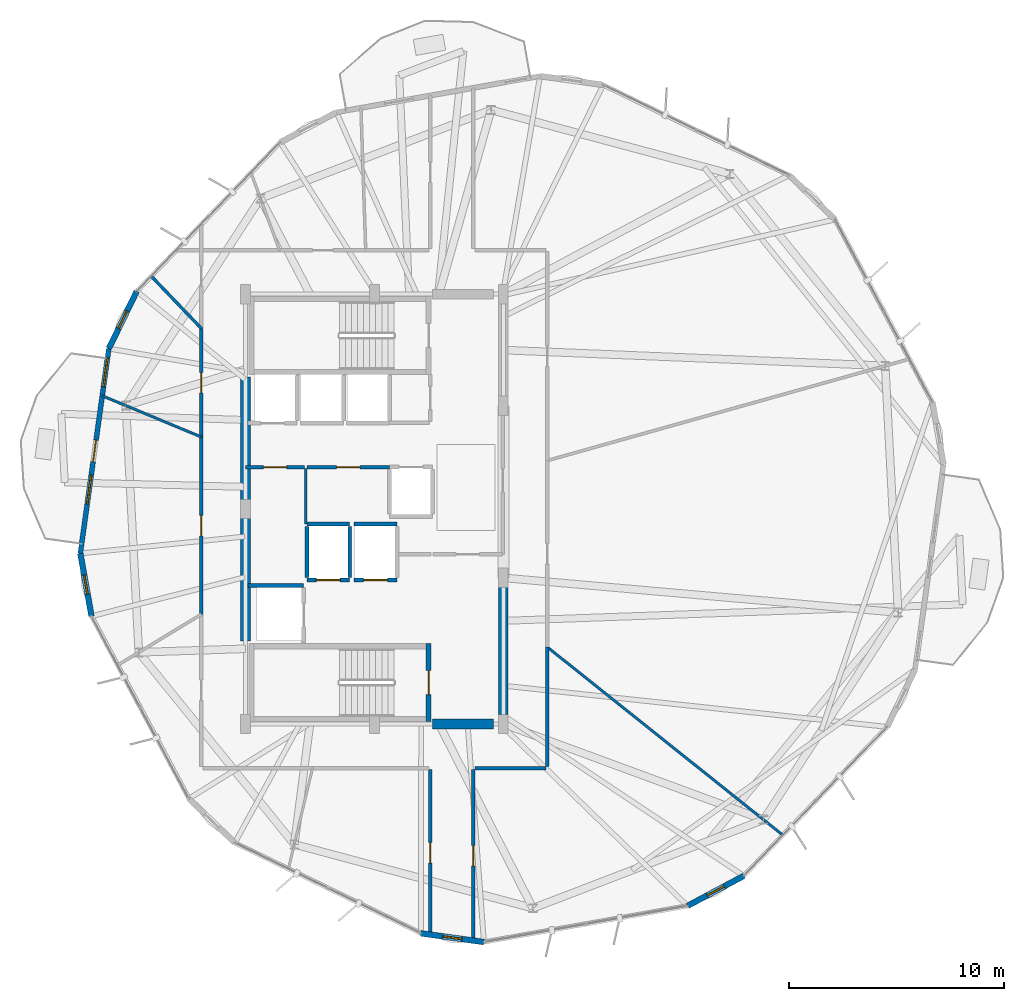
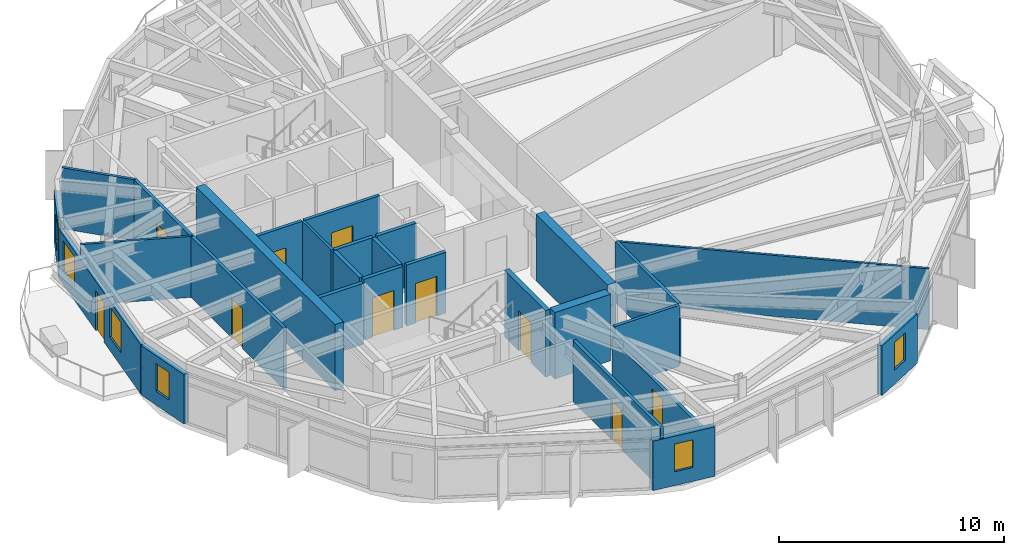
# One storey, part 23 of 28: 28 walls, 10 doors, 6 windows, 16 openings.
"""IFC4 building model written with IfcOpenShell, lengths in metres."""

from ifc_helpers import new_model, si_unit, direction, frame, frame_2d, origin, place, context, subcontext, project, spatial, rectangle, extrude, material, layer, layer_set, type_object, element, fill, save


model = new_model("IFC4")

# Units and contexts
model_context = context("Model", 3, precision=1e-05, world=origin(), true_north=direction((0.0, 1.0)))
body_context = subcontext(model_context, "Body", "Model", "MODEL_VIEW")
ifc_project = project(units=[si_unit("LENGTHUNIT", "METRE"), si_unit("AREAUNIT", "SQUARE_METRE"), si_unit("VOLUMEUNIT", "CUBIC_METRE"), si_unit("PLANEANGLEUNIT", "RADIAN"), si_unit("MASSUNIT", "GRAM", prefix="KILO")], contexts=[model_context])

# Site, building, storey
site_placement = place(None, origin())
site = spatial("IfcSite", under=ifc_project, at=site_placement, CompositionType="ELEMENT")
building_placement = place(site_placement, origin())
building = spatial("IfcBuilding", under=site, at=building_placement, Name="Soratama Intermodal Tower", CompositionType="ELEMENT")
storey_placement = place(building_placement, frame((0.0, 0.0, 205.0)))
storey = spatial("IfcBuildingStorey", under=building, at=storey_placement, Name="L51", CompositionType="ELEMENT", Elevation=205.0)

# Wall, openings, door, windows
ifc_material_1 = material(Name="Concrete f'c 42 MPa", Category="concrete")
ifc_layer_1 = layer(ifc_material_1, 0.22998046875)
ifc_layer_set_1 = layer_set([ifc_layer_1], Name="Concrete f'c 42 MPa")
wall_type_1 = type_object("IfcWallType", Name="EW-BAL-230", PredefinedType="SOLIDWALL", material=ifc_layer_set_1)
wall_1_placement = place(storey_placement, frame((26.240234375, 32.46826171875, 0.0), z_axis=(0.0, 0.0, 1.0), x_axis=(-0.137794425401, -0.990460850477, 0.0)))
wall_1 = element("IfcWall", 1, at=wall_1_placement, inside=storey, type_object=wall_type_1, Name="L51 Terrace Wall F04", PredefinedType="SOLIDWALL", context=body_context, shape_type="SweptSolid", body=[
    extrude(rectangle(XDim=9.624267578125, YDim=0.22998046875, at=frame_2d((4.81201171875, 0.0))), origin(), (0.0, 0.0, 1.0), 2.678955078125),
])
opening_1_placement = place(wall_1_placement, frame((4.31201171875, 0.0, 0.0)))
opening_1 = element("IfcOpeningElement", 2, at=opening_1_placement, cuts=wall_1, Name="Opening ED-2", PredefinedType="OPENING", context=body_context, shape_type="SweptSolid", body=[
    extrude(rectangle(XDim=1.0, YDim=2.14990234375, at=frame_2d((0.5, 1.074951171875))), frame((0.0, 0.125, 0.0), z_axis=(0.0, -1.0, 0.0), x_axis=(1.0, 0.0, 0.0)), (0.0, 0.0, 1.0), 0.25),
])
opening_2_placement = place(wall_1_placement, frame((0.43994140625, 0.0, 0.719970703125)))
opening_2 = element("IfcOpeningElement", 3, at=opening_2_placement, cuts=wall_1, Name="Opening WN-4", PredefinedType="OPENING", context=body_context, shape_type="SweptSolid", body=[
    extrude(rectangle(XDim=1.35009765625, YDim=1.64990234375, at=frame_2d((0.675048828125, 0.824951171875))), frame((0.0, 0.125, 0.0), z_axis=(0.0, -1.0, 0.0), x_axis=(1.0, 0.0, 0.0)), (0.0, 0.0, 1.0), 0.25),
])
opening_3_placement = place(wall_1_placement, frame((5.951904296875, 0.0, 0.719970703125)))
opening_3 = element("IfcOpeningElement", 4, at=opening_3_placement, cuts=wall_1, Name="Opening WN-4", PredefinedType="OPENING", context=body_context, shape_type="SweptSolid", body=[
    extrude(rectangle(XDim=1.35009765625, YDim=1.64990234375, at=frame_2d((0.675048828125, 0.824951171875))), frame((0.0, 0.125, 0.0), z_axis=(0.0, -1.0, 0.0), x_axis=(1.0, 0.0, 0.0)), (0.0, 0.0, 1.0), 0.25),
])
ifc_material_2 = material(Name="Double-glazed aluminium door", Category="aluminium")
door_type_1 = type_object("IfcDoorType", Name="DR-BAL-1000", OperationType="NOTDEFINED", PredefinedType="DOOR", material=ifc_material_2)
door_1_placement = place(opening_1_placement, origin())
door_1 = element("IfcDoor", 5, at=door_1_placement, inside=storey, type_object=door_type_1, Name="L51 Balcony Door F04", OperationType="SINGLE_SWING_RIGHT", OverallHeight=2.14990234375, OverallWidth=1.0, PredefinedType="DOOR", context=body_context, shape_type="SweptSolid", body=[
    extrude(rectangle(XDim=1.0, YDim=2.14990234375, at=frame_2d((0.5, 1.074951171875))), frame((0.0, 0.02490234375, 0.0), z_axis=(0.0, -1.0, 0.0), x_axis=(1.0, 0.0, 0.0)), (0.0, 0.0, 1.0), 0.050048828125),
])
fill(opening_1, door_1)
ifc_material_3 = material(Name="Double-glazed aluminium window", Category="aluminium")
window_type_1 = type_object("IfcWindowType", Name="WN-FAC-1350", PartitioningType="SINGLE_PANEL", PredefinedType="WINDOW", material=ifc_material_3)
window_1_placement = place(opening_2_placement, origin())
window_1 = element("IfcWindow", 6, at=window_1_placement, inside=storey, type_object=window_type_1, Name="L51 Window A F04", OverallHeight=1.64990234375, OverallWidth=1.35009765625, PartitioningType="SINGLE_PANEL", PredefinedType="WINDOW", context=body_context, shape_type="SweptSolid", body=[
    extrude(rectangle(XDim=1.35009765625, YDim=1.64990234375, at=frame_2d((0.675048828125, 0.824951171875))), frame((0.0, 0.030029296875, 0.0), z_axis=(0.0, -1.0, 0.0), x_axis=(1.0, 0.0, 0.0)), (0.0, 0.0, 1.0), 0.06005859375),
])
fill(opening_2, window_1)
window_2_placement = place(opening_3_placement, origin())
window_2 = element("IfcWindow", 7, at=window_2_placement, inside=storey, type_object=window_type_1, Name="L51 Window B F04", OverallHeight=1.64990234375, OverallWidth=1.35009765625, PartitioningType="SINGLE_PANEL", PredefinedType="WINDOW", context=body_context, shape_type="SweptSolid", body=[
    extrude(rectangle(XDim=1.35009765625, YDim=1.64990234375, at=frame_2d((0.675048828125, 0.824951171875))), frame((0.0, 0.030029296875, 0.0), z_axis=(0.0, -1.0, 0.0), x_axis=(1.0, 0.0, 0.0)), (0.0, 0.0, 1.0), 0.06005859375),
])
fill(opening_3, window_2)

# Wall, opening, window
ifc_material_4 = material(Name="Concrete f'c 42 MPa", Category="concrete")
ifc_layer_2 = layer(ifc_material_4, 0.27001953125)
ifc_layer_set_2 = layer_set([ifc_layer_2], Name="Concrete f'c 42 MPa")
wall_type_2 = type_object("IfcWallType", Name="EW-CRN-270", PredefinedType="SOLIDWALL", material=ifc_layer_set_2)
wall_2_placement = place(storey_placement, frame((27.536865234375, 35.13623046875, 0.0), z_axis=(0.0, 0.0, 1.0), x_axis=(-0.437111339514, -0.899407403165, 0.0)))
wall_2 = element("IfcWall", 8, at=wall_2_placement, inside=storey, type_object=wall_type_2, Name="L51 Corner Closure Wall 03", PredefinedType="SOLIDWALL", context=body_context, shape_type="SweptSolid", body=[
    extrude(rectangle(XDim=2.96630859375, YDim=0.27001953125, at=frame_2d((1.483154296875, 0.0))), origin(), (0.0, 0.0, 1.0), 2.678955078125),
])
opening_4_placement = place(wall_2_placement, frame((1.033203125, 0.0, 0.75)))
opening_4 = element("IfcOpeningElement", 9, at=opening_4_placement, cuts=wall_2, Name="Opening WN-6", PredefinedType="OPENING", context=body_context, shape_type="SweptSolid", body=[
    extrude(rectangle(XDim=0.89990234375, YDim=1.5, at=frame_2d((0.449951171875, 0.75))), frame((0.0, 0.14501953125, 0.0), z_axis=(0.0, -1.0, 0.0), x_axis=(1.0, 0.0, 0.0)), (0.0, 0.0, 1.0), 0.2900390625),
])
ifc_material_5 = material(Name="Double-glazed aluminium window", Category="aluminium")
window_type_2 = type_object("IfcWindowType", Name="WN-FAC-900", PartitioningType="SINGLE_PANEL", PredefinedType="WINDOW", material=ifc_material_5)
window_3_placement = place(opening_4_placement, origin())
window_3 = element("IfcWindow", 10, at=window_3_placement, inside=storey, type_object=window_type_2, Name="L51 Corner Window 03", OverallHeight=1.5, OverallWidth=0.89990234375, PartitioningType="SINGLE_PANEL", PredefinedType="WINDOW", context=body_context, shape_type="SweptSolid", body=[
    extrude(rectangle(XDim=0.89990234375, YDim=1.5, at=frame_2d((0.449951171875, 0.75))), frame((0.0, 0.030029296875, 0.0), z_axis=(0.0, -1.0, 0.0), x_axis=(1.0, 0.0, 0.0)), (0.0, 0.0, 1.0), 0.06005859375),
])
fill(opening_4, window_3)

wall_3_placement = place(storey_placement, frame((24.9140625, 22.935791015625, 0.0), z_axis=(0.0, 0.0, 1.0), x_axis=(0.175052836201, -0.984559040656, 0.0)))
wall_3 = element("IfcWall", 11, at=wall_3_placement, inside=storey, type_object=wall_type_2, Name="L51 Corner Closure Wall 04", PredefinedType="SOLIDWALL", context=body_context, shape_type="SweptSolid", body=[
    extrude(rectangle(XDim=2.966552734375, YDim=0.27001953125, at=frame_2d((1.4833984375, 0.0))), origin(), (0.0, 0.0, 1.0), 2.678955078125),
])
opening_5_placement = place(wall_3_placement, frame((1.033203125, 0.0, 0.75)))
opening_5 = element("IfcOpeningElement", 12, at=opening_5_placement, cuts=wall_3, Name="Opening WN-6", PredefinedType="OPENING", context=body_context, shape_type="SweptSolid", body=[
    extrude(rectangle(XDim=0.89990234375, YDim=1.5, at=frame_2d((0.449951171875, 0.75))), frame((0.0, 0.14501953125, 0.0), z_axis=(0.0, -1.0, 0.0), x_axis=(1.0, 0.0, 0.0)), (0.0, 0.0, 1.0), 0.2900390625),
])
window_4_placement = place(opening_5_placement, origin())
window_4 = element("IfcWindow", 13, at=window_4_placement, inside=storey, type_object=window_type_2, Name="L51 Corner Window 04", OverallHeight=1.5, OverallWidth=0.89990234375, PartitioningType="SINGLE_PANEL", PredefinedType="WINDOW", context=body_context, shape_type="SweptSolid", body=[
    extrude(rectangle(XDim=0.89990234375, YDim=1.5, at=frame_2d((0.449951171875, 0.75))), frame((0.0, 0.030029296875, 0.0), z_axis=(0.0, -1.0, 0.0), x_axis=(1.0, 0.0, 0.0)), (0.0, 0.0, 1.0), 0.06005859375),
])
fill(opening_5, window_4)

wall_4_placement = place(storey_placement, frame((40.756103515625, 5.25927734375, 0.0), z_axis=(0.0, 0.0, 1.0), x_axis=(0.990464529439, -0.137767978586, 0.0)))
wall_4 = element("IfcWall", 14, at=wall_4_placement, inside=storey, type_object=wall_type_2, Name="L51 Corner Closure Wall 06", PredefinedType="SOLIDWALL", context=body_context, shape_type="SweptSolid", body=[
    extrude(rectangle(XDim=2.966552734375, YDim=0.27001953125, at=frame_2d((1.4833984375, 0.0))), origin(), (0.0, 0.0, 1.0), 2.678955078125),
])
opening_6_placement = place(wall_4_placement, frame((1.033203125, 0.0, 0.75)))
opening_6 = element("IfcOpeningElement", 15, at=opening_6_placement, cuts=wall_4, Name="Opening WN-6", PredefinedType="OPENING", context=body_context, shape_type="SweptSolid", body=[
    extrude(rectangle(XDim=0.89990234375, YDim=1.5, at=frame_2d((0.449951171875, 0.75))), frame((0.0, 0.14501953125, 0.0), z_axis=(0.0, -1.0, 0.0), x_axis=(1.0, 0.0, 0.0)), (0.0, 0.0, 1.0), 0.2900390625),
])
window_5_placement = place(opening_6_placement, origin())
window_5 = element("IfcWindow", 16, at=window_5_placement, inside=storey, type_object=window_type_2, Name="L51 Corner Window 06", OverallHeight=1.5, OverallWidth=0.89990234375, PartitioningType="SINGLE_PANEL", PredefinedType="WINDOW", context=body_context, shape_type="SweptSolid", body=[
    extrude(rectangle(XDim=0.89990234375, YDim=1.5, at=frame_2d((0.449951171875, 0.75))), frame((0.0, 0.030029296875, 0.0), z_axis=(0.0, -1.0, 0.0), x_axis=(1.0, 0.0, 0.0)), (0.0, 0.0, 1.0), 0.06005859375),
])
fill(opening_6, window_5)

wall_5_placement = place(storey_placement, frame((53.169921875, 6.534912109375, 0.0), z_axis=(0.0, 0.0, 1.0), x_axis=(0.882280032982, 0.470724912663, 0.0)))
wall_5 = element("IfcWall", 17, at=wall_5_placement, inside=storey, type_object=wall_type_2, Name="L51 Corner Closure Wall 07", PredefinedType="SOLIDWALL", context=body_context, shape_type="SweptSolid", body=[
    extrude(rectangle(XDim=2.966552734375, YDim=0.27001953125, at=frame_2d((1.4833984375, 0.0))), origin(), (0.0, 0.0, 1.0), 2.678955078125),
])
opening_7_placement = place(wall_5_placement, frame((1.033203125, 0.0, 0.75)))
opening_7 = element("IfcOpeningElement", 18, at=opening_7_placement, cuts=wall_5, Name="Opening WN-6", PredefinedType="OPENING", context=body_context, shape_type="SweptSolid", body=[
    extrude(rectangle(XDim=0.89990234375, YDim=1.5, at=frame_2d((0.449951171875, 0.75))), frame((0.0, 0.14501953125, 0.0), z_axis=(0.0, -1.0, 0.0), x_axis=(1.0, 0.0, 0.0)), (0.0, 0.0, 1.0), 0.2900390625),
])
window_6_placement = place(opening_7_placement, origin())
window_6 = element("IfcWindow", 19, at=window_6_placement, inside=storey, type_object=window_type_2, Name="L51 Corner Window 07", OverallHeight=1.5, OverallWidth=0.89990234375, PartitioningType="SINGLE_PANEL", PredefinedType="WINDOW", context=body_context, shape_type="SweptSolid", body=[
    extrude(rectangle(XDim=0.89990234375, YDim=1.5, at=frame_2d((0.449951171875, 0.75))), frame((0.0, 0.030029296875, 0.0), z_axis=(0.0, -1.0, 0.0), x_axis=(1.0, 0.0, 0.0)), (0.0, 0.0, 1.0), 0.06005859375),
])
fill(opening_7, window_6)

# Wall, opening, door
ifc_material_6 = material(Name="Fire-rated gypsum stud partition", Category="concrete")
ifc_layer_3 = layer(ifc_material_6, 0.159912109375)
ifc_layer_set_3 = layer_set([ifc_layer_3], Name="Fire-rated gypsum stud partition")
wall_type_3 = type_object("IfcWallType", Name="IW-PART-R160", PredefinedType="PARTITIONING", material=ifc_layer_set_3)
wall_6_placement = place(storey_placement, frame((30.550048828125, 20.10595703125, 0.0), z_axis=(0.0, 0.0, 1.0), x_axis=(0.0, 1.0, 0.0)))
wall_6 = element("IfcWall", 20, at=wall_6_placement, inside=storey, type_object=wall_type_3, Name="L51 Partition W-L51-TP005", PredefinedType="PARTITIONING", context=body_context, shape_type="SweptSolid", body=[
    extrude(rectangle(XDim=8.2451171875, YDim=0.159912109375, at=frame_2d((4.12255859375, 0.0))), origin(), (0.0, 0.0, 1.0), 3.300048828125),
])
opening_8_placement = place(wall_6_placement, frame((3.64697265625, 0.0, 0.0)))
opening_8 = element("IfcOpeningElement", 21, at=opening_8_placement, cuts=wall_6, Name="Opening ID-3", PredefinedType="OPENING", context=body_context, shape_type="SweptSolid", body=[
    extrude(rectangle(XDim=0.949951171875, YDim=2.14990234375, at=frame_2d((0.47509765625, 1.074951171875))), frame((0.0, 0.08984375, 0.0), z_axis=(0.0, -1.0, 0.0), x_axis=(1.0, 0.0, 0.0)), (0.0, 0.0, 1.0), 0.179931640625),
])
ifc_material_7 = material(Name="Solid hardwood acoustic door", Category="wood")
door_type_2 = type_object("IfcDoorType", Name="DR-ROOM-950", OperationType="NOTDEFINED", PredefinedType="DOOR", material=ifc_material_7)
door_2_placement = place(opening_8_placement, origin())
door_2 = element("IfcDoor", 22, at=door_2_placement, inside=storey, type_object=door_type_2, Name="L51 Door D-L51-TP003", OperationType="SINGLE_SWING_RIGHT", OverallHeight=2.14990234375, OverallWidth=0.949951171875, PredefinedType="DOOR", context=body_context, shape_type="SweptSolid", body=[
    extrude(rectangle(XDim=0.949951171875, YDim=2.14990234375, at=frame_2d((0.47509765625, 1.074951171875))), frame((0.0, 0.02490234375, 0.0), z_axis=(0.0, -1.0, 0.0), x_axis=(1.0, 0.0, 0.0)), (0.0, 0.0, 1.0), 0.050048828125),
])
fill(opening_8, door_2)

wall_7_placement = place(storey_placement, frame((43.199951171875, 12.8798828125, 0.0), z_axis=(0.0, 0.0, 1.0), x_axis=(0.0, -1.0, 0.0)))
wall_7 = element("IfcWall", 23, at=wall_7_placement, inside=storey, type_object=wall_type_3, Name="L51 Partition W-L51-TP006", PredefinedType="PARTITIONING", context=body_context, shape_type="SweptSolid", body=[
    extrude(rectangle(XDim=8.038818359375, YDim=0.159912109375, at=frame_2d((4.01953125, 0.0))), origin(), (0.0, 0.0, 1.0), 2.677978515625),
])
opening_9_placement = place(wall_7_placement, frame((3.544921875, 0.0, 0.0)))
opening_9 = element("IfcOpeningElement", 24, at=opening_9_placement, cuts=wall_7, Name="Opening ID-3", PredefinedType="OPENING", context=body_context, shape_type="SweptSolid", body=[
    extrude(rectangle(XDim=0.949951171875, YDim=2.14990234375, at=frame_2d((0.47509765625, 1.074951171875))), frame((0.0, 0.08984375, 0.0), z_axis=(0.0, -1.0, 0.0), x_axis=(1.0, 0.0, 0.0)), (0.0, 0.0, 1.0), 0.179931640625),
])
door_3_placement = place(opening_9_placement, origin())
door_3 = element("IfcDoor", 25, at=door_3_placement, inside=storey, type_object=door_type_2, Name="L51 Door D-L51-TP004", OperationType="SINGLE_SWING_LEFT", OverallHeight=2.14990234375, OverallWidth=0.949951171875, PredefinedType="DOOR", context=body_context, shape_type="SweptSolid", body=[
    extrude(rectangle(XDim=0.949951171875, YDim=2.14990234375, at=frame_2d((0.47509765625, 1.074951171875))), frame((0.0, 0.02490234375, 0.0), z_axis=(0.0, -1.0, 0.0), x_axis=(1.0, 0.0, 0.0)), (0.0, 0.0, 1.0), 0.050048828125),
])
fill(opening_9, door_3)

wall_8_placement = place(storey_placement, frame((41.199951171875, 5.1240234375, 0.0), z_axis=(0.0, 0.0, 1.0), x_axis=(0.0, 1.0, 0.0)))
wall_8 = element("IfcWall", 26, at=wall_8_placement, inside=storey, type_object=wall_type_3, Name="L51 Partition W-L51-TP007", PredefinedType="PARTITIONING", context=body_context, shape_type="SweptSolid", body=[
    extrude(rectangle(XDim=7.755859375, YDim=0.159912109375, at=frame_2d((3.8779296875, 0.0))), origin(), (0.0, 0.0, 1.0), 3.300048828125),
])
opening_10_placement = place(wall_8_placement, frame((3.403076171875, 0.0, 0.0)))
opening_10 = element("IfcOpeningElement", 27, at=opening_10_placement, cuts=wall_8, Name="Opening ID-3", PredefinedType="OPENING", context=body_context, shape_type="SweptSolid", body=[
    extrude(rectangle(XDim=0.949951171875, YDim=2.14990234375, at=frame_2d((0.47509765625, 1.074951171875))), frame((0.0, 0.08984375, 0.0), z_axis=(0.0, -1.0, 0.0), x_axis=(1.0, 0.0, 0.0)), (0.0, 0.0, 1.0), 0.179931640625),
])
door_4_placement = place(opening_10_placement, origin())
door_4 = element("IfcDoor", 28, at=door_4_placement, inside=storey, type_object=door_type_2, Name="L51 Door D-L51-TP005", OperationType="SINGLE_SWING_RIGHT", OverallHeight=2.14990234375, OverallWidth=0.949951171875, PredefinedType="DOOR", context=body_context, shape_type="SweptSolid", body=[
    extrude(rectangle(XDim=0.949951171875, YDim=2.14990234375, at=frame_2d((0.47509765625, 1.074951171875))), frame((0.0, 0.02490234375, 0.0), z_axis=(0.0, -1.0, 0.0), x_axis=(1.0, 0.0, 0.0)), (0.0, 0.0, 1.0), 0.050048828125),
])
fill(opening_10, door_4)

# Wall
wall_9_placement = place(storey_placement, frame((46.64990234375, 18.572998046875, 0.0), z_axis=(0.0, 0.0, 1.0), x_axis=(0.0, -1.0, 0.0)))
element("IfcWall", 29, at=wall_9_placement, inside=storey, type_object=wall_type_3, Name="L51 Partition W-L51-TP013", PredefinedType="PARTITIONING", context=body_context, shape_type="SweptSolid", body=[
    extrude(rectangle(XDim=5.552978515625, YDim=0.159912109375, at=frame_2d((2.7763671875, 0.0))), origin(), (0.0, 0.0, 1.0), 3.300048828125),
])

# Wall, opening, door
wall_10_placement = place(storey_placement, frame((30.550048828125, 28.35107421875, 0.0), z_axis=(0.0, 0.0, 1.0), x_axis=(0.0, 1.0, 0.0)))
wall_10 = element("IfcWall", 30, at=wall_10_placement, inside=storey, type_object=wall_type_3, Name="L51 Partition W-L51-TP016", PredefinedType="PARTITIONING", context=body_context, shape_type="SweptSolid", body=[
    extrude(rectangle(XDim=5.0498046875, YDim=0.159912109375, at=frame_2d((2.52490234375, 0.0))), origin(), (0.0, 0.0, 1.0), 3.300048828125),
])
opening_11_placement = place(wall_10_placement, frame((2.050048828125, 0.0, 0.0)))
opening_11 = element("IfcOpeningElement", 31, at=opening_11_placement, cuts=wall_10, Name="Opening ID-3", PredefinedType="OPENING", context=body_context, shape_type="SweptSolid", body=[
    extrude(rectangle(XDim=0.949951171875, YDim=2.14990234375, at=frame_2d((0.47509765625, 1.074951171875))), frame((0.0, 0.08984375, 0.0), z_axis=(0.0, -1.0, 0.0), x_axis=(1.0, 0.0, 0.0)), (0.0, 0.0, 1.0), 0.179931640625),
])
door_5_placement = place(opening_11_placement, origin())
door_5 = element("IfcDoor", 32, at=door_5_placement, inside=storey, type_object=door_type_2, Name="L51 Door D-L51-TP009", OperationType="SINGLE_SWING_RIGHT", OverallHeight=2.14990234375, OverallWidth=0.949951171875, PredefinedType="DOOR", context=body_context, shape_type="SweptSolid", body=[
    extrude(rectangle(XDim=0.949951171875, YDim=2.14990234375, at=frame_2d((0.47509765625, 1.074951171875))), frame((0.0, 0.02490234375, 0.0), z_axis=(0.0, -1.0, 0.0), x_axis=(1.0, 0.0, 0.0)), (0.0, 0.0, 1.0), 0.050048828125),
])
fill(opening_11, door_5)

wall_11_placement = place(storey_placement, frame((39.300048828125, 26.93994140625, 0.0), z_axis=(0.0, 0.0, 1.0), x_axis=(-1.0, 0.0, 0.0)))
wall_11 = element("IfcWall", 33, at=wall_11_placement, inside=storey, type_object=wall_type_3, Name="L51 Partition W-L51-TP024", PredefinedType="PARTITIONING", context=body_context, shape_type="SweptSolid", body=[
    extrude(rectangle(XDim=3.840087890625, YDim=0.159912109375, at=frame_2d((1.919921875, 0.0))), origin(), (0.0, 0.0, 1.0), 3.300048828125),
])
opening_12_placement = place(wall_11_placement, frame((1.3798828125, 0.0, 0.0)))
opening_12 = element("IfcOpeningElement", 34, at=opening_12_placement, cuts=wall_11, Name="Opening ID-1", PredefinedType="OPENING", context=body_context, shape_type="SweptSolid", body=[
    extrude(rectangle(XDim=1.080078125, YDim=2.14990234375, at=frame_2d((0.5400390625, 1.074951171875))), frame((0.0, 0.08984375, 0.0), z_axis=(0.0, -1.0, 0.0), x_axis=(1.0, 0.0, 0.0)), (0.0, 0.0, 1.0), 0.179931640625),
])
ifc_material_8 = material(Name="Solid hardwood acoustic door", Category="wood")
door_type_3 = type_object("IfcDoorType", Name="DR-LOB-FD60", OperationType="NOTDEFINED", PredefinedType="DOOR", material=ifc_material_8)
door_6_placement = place(opening_12_placement, origin())
door_6 = element("IfcDoor", 35, at=door_6_placement, inside=storey, type_object=door_type_3, Name="L51 Door D-L51-TP012", OperationType="SINGLE_SWING_LEFT", OverallHeight=2.14990234375, OverallWidth=1.080078125, PredefinedType="DOOR", context=body_context, shape_type="SweptSolid", body=[
    extrude(rectangle(XDim=1.080078125, YDim=2.14990234375, at=frame_2d((0.5400390625, 1.074951171875))), frame((0.0, 0.02490234375, 0.0), z_axis=(0.0, -1.0, 0.0), x_axis=(1.0, 0.0, 0.0)), (0.0, 0.0, 1.0), 0.050048828125),
])
fill(opening_12, door_6)

# Wall
wall_12_placement = place(storey_placement, frame((46.580078125, 12.949951171875, 0.0), z_axis=(0.0, 0.0, 1.0), x_axis=(-1.0, 0.0, 0.0)))
element("IfcWall", 36, at=wall_12_placement, inside=storey, type_object=wall_type_3, Name="L51 Partition W-L51-TP027", PredefinedType="PARTITIONING", context=body_context, shape_type="SweptSolid", body=[
    extrude(rectangle(XDim=3.31005859375, YDim=0.159912109375, at=frame_2d((1.655029296875, 0.0))), origin(), (0.0, 0.0, 1.0), 3.300048828125),
])

# Wall, opening, door
wall_13_placement = place(storey_placement, frame((35.340087890625, 26.93994140625, 0.0), z_axis=(0.0, 0.0, 1.0), x_axis=(-1.0, 0.0, 0.0)))
wall_13 = element("IfcWall", 37, at=wall_13_placement, inside=storey, type_object=wall_type_3, Name="L51 Partition W-L51-TP030", PredefinedType="PARTITIONING", context=body_context, shape_type="SweptSolid", body=[
    extrude(rectangle(XDim=2.739990234375, YDim=0.159912109375, at=frame_2d((1.3701171875, 0.0))), origin(), (0.0, 0.0, 1.0), 3.300048828125),
])
opening_13_placement = place(wall_13_placement, frame((0.830078125, 0.0, 0.0)))
opening_13 = element("IfcOpeningElement", 38, at=opening_13_placement, cuts=wall_13, Name="Opening ID-1", PredefinedType="OPENING", context=body_context, shape_type="SweptSolid", body=[
    extrude(rectangle(XDim=1.080078125, YDim=2.14990234375, at=frame_2d((0.5400390625, 1.074951171875))), frame((0.0, 0.08984375, 0.0), z_axis=(0.0, -1.0, 0.0), x_axis=(1.0, 0.0, 0.0)), (0.0, 0.0, 1.0), 0.179931640625),
])
door_7_placement = place(opening_13_placement, origin())
door_7 = element("IfcDoor", 39, at=door_7_placement, inside=storey, type_object=door_type_3, Name="L51 Door D-L51-TP014", OperationType="SINGLE_SWING_LEFT", OverallHeight=2.14990234375, OverallWidth=1.080078125, PredefinedType="DOOR", context=body_context, shape_type="SweptSolid", body=[
    extrude(rectangle(XDim=1.080078125, YDim=2.14990234375, at=frame_2d((0.5400390625, 1.074951171875))), frame((0.0, 0.02490234375, 0.0), z_axis=(0.0, -1.0, 0.0), x_axis=(1.0, 0.0, 0.0)), (0.0, 0.0, 1.0), 0.050048828125),
])
fill(opening_13, door_7)

# Walls
ifc_material_9 = material(Name="Fire-rated gypsum stud partition", Category="concrete")
ifc_layer_4 = layer(ifc_material_9, 0.1201171875)
ifc_layer_set_4 = layer_set([ifc_layer_4], Name="Fire-rated gypsum stud partition")
wall_type_4 = type_object("IfcWallType", Name="IW-PART-S120", PredefinedType="PARTITIONING", material=ifc_layer_set_4)
wall_14_placement = place(storey_placement, frame((46.64990234375, 18.572998046875, 0.0), z_axis=(0.0, 0.0, 1.0), x_axis=(0.781466310876, -0.623947437663, 0.0)))
element("IfcWall", 40, at=wall_14_placement, inside=storey, type_object=wall_type_4, Name="L51 Partition W-L51-TP002", PredefinedType="PARTITIONING", context=body_context, shape_type="SweptSolid", body=[
    extrude(rectangle(XDim=14.023681640625, YDim=0.1201171875, at=frame_2d((7.01171875, 0.0))), origin(), (0.0, 0.0, 1.0), 3.300048828125),
])
wall_15_placement = place(storey_placement, frame((30.550048828125, 28.35107421875, 0.0), z_axis=(0.0, 0.0, 1.0), x_axis=(-0.923289208282, 0.384105503567, 0.0)))
element("IfcWall", 41, at=wall_15_placement, inside=storey, type_object=wall_type_4, Name="L51 Partition W-L51-TP017", PredefinedType="PARTITIONING", context=body_context, shape_type="SweptSolid", body=[
    extrude(rectangle(XDim=4.99853515625, YDim=0.1201171875, at=frame_2d((2.499267578125, 0.0))), origin(), (0.0, 0.0, 1.0), 3.300048828125),
])
ifc_material_10 = material(Name="Fire-rated gypsum stud partition", Category="concrete")
ifc_layer_5 = layer(ifc_material_10, 0.1298828125)
ifc_layer_set_5 = layer_set([ifc_layer_5], Name="Fire-rated gypsum stud partition")
wall_type_5 = type_object("IfcWallType", Name="IW-PART-S130", PredefinedType="PARTITIONING", material=ifc_layer_set_5)
wall_16_placement = place(storey_placement, frame((35.39990234375, 26.8798828125, 0.0), z_axis=(0.0, 0.0, 1.0), x_axis=(0.0, -1.0, 0.0)))
element("IfcWall", 42, at=wall_16_placement, inside=storey, type_object=wall_type_5, Name="L51 Partition W-L51-TP031", PredefinedType="PARTITIONING", context=body_context, shape_type="SweptSolid", body=[
    extrude(rectangle(XDim=2.579833984375, YDim=0.1298828125, at=frame_2d((1.2900390625, 0.0))), origin(), (0.0, 0.0, 1.0), 3.300048828125),
])
ifc_material_11 = material(Name="Fire-rated gypsum stud partition", Category="concrete")
ifc_layer_6 = layer(ifc_material_11, 0.139892578125)
ifc_layer_set_6 = layer_set([ifc_layer_6], Name="Fire-rated gypsum stud partition")
wall_type_6 = type_object("IfcWallType", Name="IW-PART-S140", PredefinedType="PARTITIONING", material=ifc_layer_set_6)
wall_17_placement = place(storey_placement, frame((30.550048828125, 33.40087890625, 0.0), z_axis=(0.0, 0.0, 1.0), x_axis=(-0.691985428649, 0.721911467243, 0.0)))
element("IfcWall", 43, at=wall_17_placement, inside=storey, type_object=wall_type_6, Name="L51 Partition W-L51-TP025", PredefinedType="PARTITIONING", context=body_context, shape_type="SweptSolid", body=[
    extrude(rectangle(XDim=3.37744140625, YDim=0.139892578125, at=frame_2d((1.688720703125, 0.0))), origin(), (0.0, 0.0, 1.0), 3.300048828125),
])

# Wall, opening, door
ifc_material_12 = material(Name="Concrete f'c 42 MPa", Category="concrete")
ifc_layer_7 = layer(ifc_material_12, 0.18505859375)
ifc_layer_set_7 = layer_set([ifc_layer_7], Name="Concrete f'c 42 MPa")
wall_type_7 = type_object("IfcWallType", Name="IW-SHAFT-185", PredefinedType="SOLIDWALL", material=ifc_layer_set_7)
wall_18_placement = place(storey_placement, frame((35.449951171875, 21.699951171875, 0.0), z_axis=(0.0, 0.0, 1.0), x_axis=(1.0, 0.0, 0.0)))
wall_18 = element("IfcWall", 44, at=wall_18_placement, inside=storey, type_object=wall_type_7, Name="L51 FFL-1 Hoistway Wall S", PredefinedType="SOLIDWALL", context=body_context, shape_type="SweptSolid", body=[
    extrude(rectangle(XDim=2.0, YDim=0.18505859375, at=frame_2d((1.0, 0.0))), origin(), (0.0, 0.0, 1.0), 3.300048828125),
])
opening_14_placement = place(wall_18_placement, frame((0.449951171875, 0.0, 0.0)))
opening_14 = element("IfcOpeningElement", 45, at=opening_14_placement, cuts=wall_18, Name="Opening LD-1", PredefinedType="OPENING", context=body_context, shape_type="SweptSolid", body=[
    extrude(rectangle(XDim=1.10009765625, YDim=2.14990234375, at=frame_2d((0.550048828125, 1.074951171875))), frame((0.0, 0.1025390625, 0.0), z_axis=(0.0, -1.0, 0.0), x_axis=(1.0, 0.0, 0.0)), (0.0, 0.0, 1.0), 0.205078125),
])
ifc_material_13 = material(Name="Steel fire door", Category="steel")
door_type_4 = type_object("IfcDoorType", Name="DR-LIFT-SLIDE", OperationType="NOTDEFINED", PredefinedType="DOOR", material=ifc_material_13)
door_8_placement = place(opening_14_placement, origin())
door_8 = element("IfcDoor", 46, at=door_8_placement, inside=storey, type_object=door_type_4, Name="L51 FFL-1 Sliding Landing Door", OperationType="SLIDING_TO_LEFT", OverallHeight=2.14990234375, OverallWidth=1.10009765625, PredefinedType="DOOR", context=body_context, shape_type="SweptSolid", body=[
    extrude(rectangle(XDim=1.10009765625, YDim=2.14990234375, at=frame_2d((0.550048828125, 1.074951171875))), frame((0.0, 0.02490234375, 0.0), z_axis=(0.0, -1.0, 0.0), x_axis=(1.0, 0.0, 0.0)), (0.0, 0.0, 1.0), 0.050048828125),
])
fill(opening_14, door_8)

# Walls
wall_19_placement = place(storey_placement, frame((35.449951171875, 24.300048828125, 0.0), z_axis=(0.0, 0.0, 1.0), x_axis=(1.0, 0.0, 0.0)))
element("IfcWall", 47, at=wall_19_placement, inside=storey, type_object=wall_type_7, Name="L51 FFL-1 Hoistway Wall N", PredefinedType="SOLIDWALL", context=body_context, shape_type="SweptSolid", body=[
    extrude(rectangle(XDim=2.0, YDim=0.18505859375, at=frame_2d((1.0, 0.0))), origin(), (0.0, 0.0, 1.0), 3.300048828125),
])
for number, where, z_axis, x_axis, name in (
    (48, (35.449951171875, 21.81005859375, 0.0), (0.0, 0.0, 1.0), (0.0, 1.0, 0.0), "L51 FFL-1 Hoistway Wall W"),
    (49, (37.449951171875, 21.81005859375, 0.0), (0.0, 0.0, 1.0), (0.0, 1.0, 0.0), "L51 FFL-1 Hoistway Wall E"),
):
    element("IfcWall", number, at=place(storey_placement, frame(where, z_axis=z_axis, x_axis=x_axis)), inside=storey, type_object=wall_type_7, Name=name, PredefinedType="SOLIDWALL", context=body_context, shape_type="SweptSolid", body=[
        extrude(rectangle(XDim=2.3798828125, YDim=0.18505859375, at=frame_2d((1.18994140625, 0.0))), origin(), (0.0, 0.0, 1.0), 3.300048828125),
    ])

# Wall, opening, door
wall_20_placement = place(storey_placement, frame((37.64990234375, 21.699951171875, 0.0), z_axis=(0.0, 0.0, 1.0), x_axis=(1.0, 0.0, 0.0)))
wall_20 = element("IfcWall", 50, at=wall_20_placement, inside=storey, type_object=wall_type_7, Name="L51 FFL-2 Hoistway Wall S", PredefinedType="SOLIDWALL", context=body_context, shape_type="SweptSolid", body=[
    extrude(rectangle(XDim=2.0, YDim=0.18505859375, at=frame_2d((1.0, 0.0))), origin(), (0.0, 0.0, 1.0), 3.300048828125),
])
opening_15_placement = place(wall_20_placement, frame((0.449951171875, 0.0, 0.0)))
opening_15 = element("IfcOpeningElement", 51, at=opening_15_placement, cuts=wall_20, Name="Opening LD-1", PredefinedType="OPENING", context=body_context, shape_type="SweptSolid", body=[
    extrude(rectangle(XDim=1.10009765625, YDim=2.14990234375, at=frame_2d((0.550048828125, 1.074951171875))), frame((0.0, 0.1025390625, 0.0), z_axis=(0.0, -1.0, 0.0), x_axis=(1.0, 0.0, 0.0)), (0.0, 0.0, 1.0), 0.205078125),
])
door_9_placement = place(opening_15_placement, origin())
door_9 = element("IfcDoor", 52, at=door_9_placement, inside=storey, type_object=door_type_4, Name="L51 FFL-2 Sliding Landing Door", OperationType="SLIDING_TO_LEFT", OverallHeight=2.14990234375, OverallWidth=1.10009765625, PredefinedType="DOOR", context=body_context, shape_type="SweptSolid", body=[
    extrude(rectangle(XDim=1.10009765625, YDim=2.14990234375, at=frame_2d((0.550048828125, 1.074951171875))), frame((0.0, 0.02490234375, 0.0), z_axis=(0.0, -1.0, 0.0), x_axis=(1.0, 0.0, 0.0)), (0.0, 0.0, 1.0), 0.050048828125),
])
fill(opening_15, door_9)

# Walls
wall_21_placement = place(storey_placement, frame((37.64990234375, 24.300048828125, 0.0), z_axis=(0.0, 0.0, 1.0), x_axis=(1.0, 0.0, 0.0)))
element("IfcWall", 53, at=wall_21_placement, inside=storey, type_object=wall_type_7, Name="L51 FFL-2 Hoistway Wall N", PredefinedType="SOLIDWALL", context=body_context, shape_type="SweptSolid", body=[
    extrude(rectangle(XDim=2.0, YDim=0.18505859375, at=frame_2d((1.0, 0.0))), origin(), (0.0, 0.0, 1.0), 3.300048828125),
])
wall_22_placement = place(storey_placement, frame((32.719970703125, 21.449951171875, 0.0), z_axis=(0.0, 0.0, 1.0), x_axis=(1.0, 0.0, 0.0)))
element("IfcWall", 54, at=wall_22_placement, inside=storey, type_object=wall_type_7, Name="L51 SVL-1 Hoistway Wall N", PredefinedType="SOLIDWALL", context=body_context, shape_type="SweptSolid", body=[
    extrude(rectangle(XDim=2.580078125, YDim=0.18505859375, at=frame_2d((1.2900390625, 0.0))), origin(), (0.0, 0.0, 1.0), 3.300048828125),
])
ifc_material_14 = material(Name="Concrete f'c 56 MPa", Category="concrete")
ifc_layer_8 = layer(ifc_material_14, 0.449951171875)
ifc_layer_set_8 = layer_set([ifc_layer_8], Name="Concrete f'c 56 MPa")
wall_type_8 = type_object("IfcWallType", Name="SW-CORE-450", PredefinedType="SHEAR", material=ifc_layer_set_8)
wall_23_placement = place(storey_placement, frame((32.60009765625, 18.85009765625, 0.0), z_axis=(0.0, 0.0, 1.0), x_axis=(0.0, 1.0, 0.0)))
element("IfcWall", 55, at=wall_23_placement, inside=storey, type_object=wall_type_8, Name="L51 Core Shear Wall CW-WMID", PredefinedType="SHEAR", context=body_context, shape_type="SweptSolid", body=[
    extrude(rectangle(XDim=12.2998046875, YDim=0.449951171875, at=frame_2d((6.14990234375, 0.0))), origin(), (0.0, 0.0, 1.0), 3.60009765625),
])
wall_24_placement = place(storey_placement, frame((41.300048828125, 15.0, 0.0), z_axis=(0.0, 0.0, 1.0), x_axis=(1.0, 0.0, 0.0)))
element("IfcWall", 56, at=wall_24_placement, inside=storey, type_object=wall_type_8, Name="L51 Core Shear Wall CW-SE", PredefinedType="SHEAR", context=body_context, shape_type="SweptSolid", body=[
    extrude(rectangle(XDim=2.849853515625, YDim=0.449951171875, at=frame_2d((1.4248046875, 0.0))), origin(), (0.0, 0.0, 1.0), 3.60009765625),
])
wall_25_placement = place(storey_placement, frame((44.60009765625, 15.449951171875, 0.0), z_axis=(0.0, 0.0, 1.0), x_axis=(0.0, 1.0, 0.0)))
element("IfcWall", 57, at=wall_25_placement, inside=storey, type_object=wall_type_8, Name="L51 Core Shear Wall CW-ES", PredefinedType="SHEAR", context=body_context, shape_type="SweptSolid", body=[
    extrude(rectangle(XDim=6.35009765625, YDim=0.449951171875, at=frame_2d((3.175048828125, 0.0))), origin(), (0.0, 0.0, 1.0), 3.60009765625),
])

# Wall, opening, door
ifc_material_15 = material(Name="Concrete f'c 56 MPa", Category="concrete")
ifc_layer_9 = layer(ifc_material_15, 0.239990234375)
ifc_layer_set_9 = layer_set([ifc_layer_9], Name="Concrete f'c 56 MPa")
wall_type_9 = type_object("IfcWallType", Name="SW-STAIR-240", PredefinedType="SHEAR", material=ifc_layer_set_9)
wall_26_placement = place(storey_placement, frame((41.1201171875, 15.110107421875, 0.0), z_axis=(0.0, 0.0, 1.0), x_axis=(0.0, 1.0, 0.0)))
wall_26 = element("IfcWall", 58, at=wall_26_placement, inside=storey, type_object=wall_type_9, Name="L51 ST-1 Shaft Shear Wall E", PredefinedType="SHEAR", context=body_context, shape_type="SweptSolid", body=[
    extrude(rectangle(XDim=3.6298828125, YDim=0.239990234375, at=frame_2d((1.81494140625, 0.0))), origin(), (0.0, 0.0, 1.0), 3.60009765625),
])
opening_16_placement = place(wall_26_placement, frame((1.2548828125, 0.0, 0.0)))
opening_16 = element("IfcOpeningElement", 59, at=opening_16_placement, cuts=wall_26, Name="Opening SD-1", PredefinedType="OPENING", context=body_context, shape_type="SweptSolid", body=[
    extrude(rectangle(XDim=1.1201171875, YDim=2.14990234375, at=frame_2d((0.56005859375, 1.074951171875))), frame((0.0, 0.1298828125, 0.0), z_axis=(0.0, -1.0, 0.0), x_axis=(1.0, 0.0, 0.0)), (0.0, 0.0, 1.0), 0.260009765625),
])
ifc_material_16 = material(Name="Steel fire door", Category="steel")
door_type_5 = type_object("IfcDoorType", Name="DR-STAIR-FD90", OperationType="NOTDEFINED", PredefinedType="DOOR", material=ifc_material_16)
door_10_placement = place(opening_16_placement, origin())
door_10 = element("IfcDoor", 60, at=door_10_placement, inside=storey, type_object=door_type_5, Name="L51 ST-1 Exit Stair Door", OperationType="SINGLE_SWING_LEFT", OverallHeight=2.14990234375, OverallWidth=1.1201171875, PredefinedType="DOOR", context=body_context, shape_type="SweptSolid", body=[
    extrude(rectangle(XDim=1.1201171875, YDim=2.14990234375, at=frame_2d((0.56005859375, 1.074951171875))), frame((0.0, 0.02490234375, 0.0), z_axis=(0.0, -1.0, 0.0), x_axis=(1.0, 0.0, 0.0)), (0.0, 0.0, 1.0), 0.050048828125),
])
fill(opening_16, door_10)

save(model, "model.ifc")
